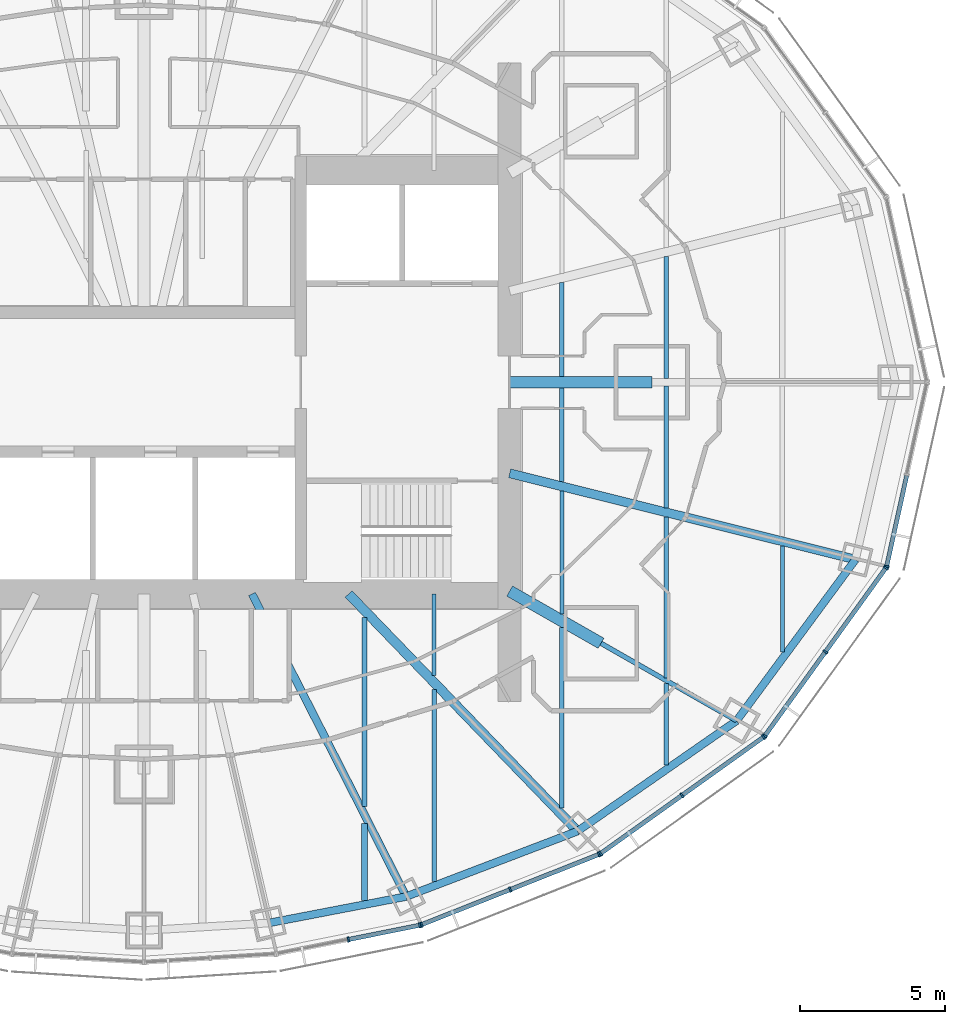
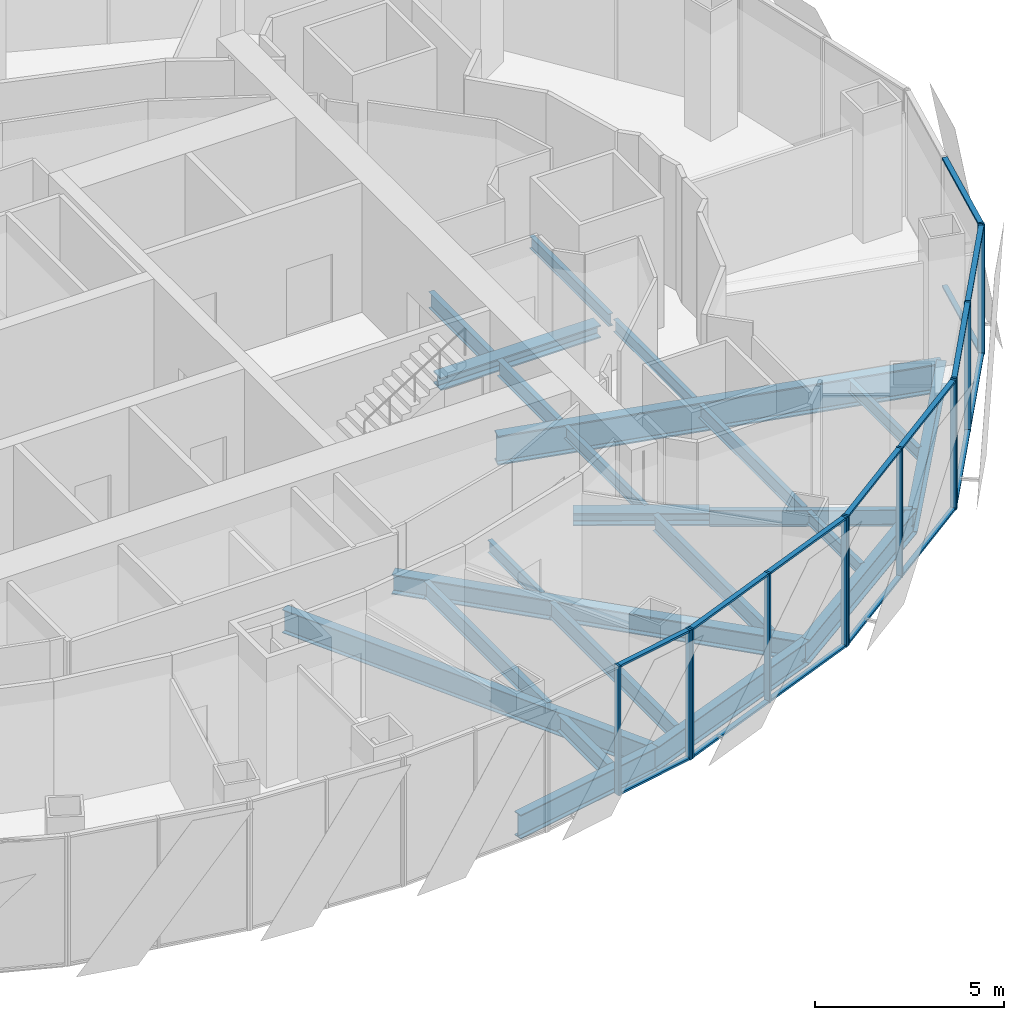
# One storey, part 6 of 19: 28 members, 23 beams, 5 elements without a shape of their own.
"""IFC4 building model written with IfcOpenShell, lengths in metres."""

from ifc_helpers import new_model, si_unit, direction, frame, origin, origin_2d, place, context, subcontext, project, spatial, rectangle, i_section, extrude, material, material_profile, profile_set, type_object, element, aggregate, save


model = new_model("IFC4")

# Units and contexts
model_context = context("Model", 3, precision=1e-05, world=origin(), true_north=direction((0.0, 1.0)))
body_context = subcontext(model_context, "Body", "Model", "MODEL_VIEW")
ifc_project = project(units=[si_unit("LENGTHUNIT", "METRE"), si_unit("AREAUNIT", "SQUARE_METRE"), si_unit("VOLUMEUNIT", "CUBIC_METRE"), si_unit("PLANEANGLEUNIT", "RADIAN"), si_unit("MASSUNIT", "GRAM", prefix="KILO")], contexts=[model_context])

# Site, building, storey
site_placement = place(None, origin())
site = spatial("IfcSite", under=ifc_project, at=site_placement, CompositionType="ELEMENT")
building_placement = place(site_placement, origin())
building = spatial("IfcBuilding", under=site, at=building_placement, Name="Lantaw Convention Tower", CompositionType="ELEMENT")
storey_placement = place(building_placement, frame((0.0, 0.0, 245.199951171875)))
storey = spatial("IfcBuildingStorey", under=building, at=storey_placement, Name="L57", CompositionType="ELEMENT", Elevation=245.199951171875)

# Beams
ifc_material_1 = material(Name="Steel ASTM A992", Category="steel")
ifc_material_profile_1 = material_profile(ifc_material_1, i_section(OverallWidth=0.2666015625, OverallDepth=0.76953125, WebThickness=0.015625, FlangeThickness=0.025390625, FilletRadius=0.0126953125, at=origin_2d()), Name="W30X132")
ifc_profile_set_1 = profile_set([ifc_material_profile_1], Name="Steel ASTM A992")
beam_type_1 = type_object("IfcBeamType", Name="Beam E W30X132", PredefinedType="SPANDREL", material=ifc_profile_set_1)
beam_1_placement = place(storey_placement, frame((4.303955078125, -18.64208984375, -0.53466796875), z_axis=(0.981972091702, 0.189025953556, 0.0), x_axis=(-0.189025953556, 0.981972091702, 0.0)))
element("IfcBeam", 1, at=beam_1_placement, inside=storey, type_object=beam_type_1, Name="Edge beam 20", PredefinedType="SPANDREL", context=body_context, shape_type="SweptSolid", body=[
    extrude(i_section(OverallWidth=0.2666015625, OverallDepth=0.76953125, WebThickness=0.015625, FlangeThickness=0.025390625, FilletRadius=0.0126953125, at=origin_2d()), origin(), (0.0, 0.0, 1.0), 4.817626953125),
])
beam_2_placement = place(storey_placement, frame((9.03466796875, -17.7314453125, -0.53466796875), z_axis=(0.934234988, 0.356658081637, 0.0), x_axis=(-0.356658081637, 0.934234988, 0.0)))
element("IfcBeam", 2, at=beam_2_placement, inside=storey, type_object=beam_type_1, Name="Edge beam 21", PredefinedType="SPANDREL", context=body_context, shape_type="SweptSolid", body=[
    extrude(i_section(OverallWidth=0.2666015625, OverallDepth=0.76953125, WebThickness=0.015625, FlangeThickness=0.025390625, FilletRadius=0.0126953125, at=origin_2d()), origin(), (0.0, 0.0, 1.0), 6.32568359375),
])
beam_3_placement = place(storey_placement, frame((14.9443359375, -15.475341796875, -0.53466796875), z_axis=(0.82135329406, 0.570419815869, 0.0), x_axis=(-0.570419815869, 0.82135329406, 0.0)))
element("IfcBeam", 3, at=beam_3_placement, inside=storey, type_object=beam_type_1, Name="Edge beam 22", PredefinedType="SPANDREL", context=body_context, shape_type="SweptSolid", body=[
    extrude(i_section(OverallWidth=0.2666015625, OverallDepth=0.76953125, WebThickness=0.015625, FlangeThickness=0.025390625, FilletRadius=0.0126953125, at=origin_2d()), origin(), (0.0, 0.0, 1.0), 6.67041015625),
])
beam_4_placement = place(storey_placement, frame((20.423095703125, -11.67041015625, -0.53466796875), z_axis=(0.593639188853, 0.804731329984, 0.0), x_axis=(-0.804731329984, 0.593639188853, 0.0)))
element("IfcBeam", 4, at=beam_4_placement, inside=storey, type_object=beam_type_1, Name="Edge beam 23", PredefinedType="SPANDREL", context=body_context, shape_type="SweptSolid", body=[
    extrude(i_section(OverallWidth=0.2666015625, OverallDepth=0.76953125, WebThickness=0.015625, FlangeThickness=0.025390625, FilletRadius=0.0126953125, at=origin_2d()), origin(), (0.0, 0.0, 1.0), 6.904541015625),
])
ifc_material_profile_2 = material_profile(ifc_material_1, i_section(OverallWidth=0.165771484375, OverallDepth=0.5283203125, WebThickness=0.009765625, FlangeThickness=0.013671875, FilletRadius=0.012939453125, at=origin_2d()), Name="W21X50")
ifc_profile_set_2 = profile_set([ifc_material_profile_2], Name="Steel ASTM A992")
beam_type_2 = type_object("IfcBeamType", Name="Beam G W21X50", PredefinedType="BEAM", material=ifc_profile_set_2)
beam_5_placement = place(storey_placement, frame((15.75, -9.0, -0.4140625), z_axis=(0.868237559289, -0.496148708192, 0.0), x_axis=(0.496148708192, 0.868237559289, 0.0)))
element("IfcBeam", 5, at=beam_5_placement, inside=storey, type_object=beam_type_2, Name="Floor girder on ray 23", PredefinedType="BEAM", context=body_context, shape_type="SweptSolid", body=[
    extrude(i_section(OverallWidth=0.165771484375, OverallDepth=0.5283203125, WebThickness=0.009765625, FlangeThickness=0.013671875, FilletRadius=0.012939453125, at=origin_2d()), origin(), (0.0, 0.0, 1.0), 5.38232421875),
])
ifc_material_profile_3 = material_profile(ifc_material_1, i_section(OverallWidth=0.32763671875, OverallDepth=0.64013671875, WebThickness=0.01904296875, FlangeThickness=0.033935546875, FilletRadius=0.0126953125, at=origin_2d()), Name="W24X176")
ifc_profile_set_3 = profile_set([ifc_material_profile_3], Name="Steel ASTM A992")
beam_type_3 = type_object("IfcBeamType", Name="Beam G W24X176", PredefinedType="BEAM", material=ifc_profile_set_3)
beam_6_placement = place(storey_placement, frame((7.049560546875, -7.300048828125, -0.469970703125), z_axis=(0.694657766726, -0.719340383356, 0.0), x_axis=(0.719340383356, 0.694657766726, 0.0)))
element("IfcBeam", 6, at=beam_6_placement, inside=storey, type_object=beam_type_3, Name="Floor girder on ray 22", PredefinedType="BEAM", context=body_context, shape_type="SweptSolid", body=[
    extrude(i_section(OverallWidth=0.32763671875, OverallDepth=0.64013671875, WebThickness=0.01904296875, FlangeThickness=0.033935546875, FilletRadius=0.0126953125, at=origin_2d()), origin(), (0.0, 0.0, 1.0), 11.364990234375),
])
ifc_material_profile_4 = material_profile(ifc_material_1, i_section(OverallWidth=0.2666015625, OverallDepth=0.7568359375, WebThickness=0.013916015625, FlangeThickness=0.019287109375, FilletRadius=0.0126953125, at=origin_2d()), Name="W30X108")
ifc_profile_set_4 = profile_set([ifc_material_profile_4], Name="Steel ASTM A992")
beam_type_4 = type_object("IfcBeamType", Name="Beam G W30X108", PredefinedType="BEAM", material=ifc_profile_set_4)
beam_7_placement = place(storey_placement, frame((3.719482421875, -7.300048828125, -0.5283203125), z_axis=(0.4539988787, -0.891002254845, 0.0), x_axis=(0.891002254845, 0.4539988787, 0.0)))
element("IfcBeam", 7, at=beam_7_placement, inside=storey, type_object=beam_type_4, Name="Floor girder on ray 21", PredefinedType="BEAM", context=body_context, shape_type="SweptSolid", body=[
    extrude(i_section(OverallWidth=0.2666015625, OverallDepth=0.7568359375, WebThickness=0.013916015625, FlangeThickness=0.019287109375, FilletRadius=0.0126953125, at=origin_2d()), origin(), (0.0, 0.0, 1.0), 11.70751953125),
])
ifc_material_profile_5 = material_profile(ifc_material_1, i_section(OverallWidth=0.307373046875, OverallDepth=0.9423828125, WebThickness=0.022216796875, FlangeThickness=0.039794921875, FilletRadius=0.0126953125, at=origin_2d()), Name="W36X232")
ifc_profile_set_5 = profile_set([ifc_material_profile_5], Name="Steel ASTM A992")
beam_type_5 = type_object("IfcBeamType", Name="Beam G W36X232", PredefinedType="BEAM", material=ifc_profile_set_5)
beam_8_placement = place(storey_placement, frame((12.60009765625, -3.1416015625, -0.62109375), z_axis=(0.970296589314, -0.241918434119, 0.0), x_axis=(0.241918434119, 0.970296589314, 0.0)))
element("IfcBeam", 8, at=beam_8_placement, inside=storey, type_object=beam_type_5, Name="Floor girder on ray 24", PredefinedType="BEAM", context=body_context, shape_type="SweptSolid", body=[
    extrude(i_section(OverallWidth=0.307373046875, OverallDepth=0.9423828125, WebThickness=0.022216796875, FlangeThickness=0.039794921875, FilletRadius=0.0126953125, at=origin_2d()), origin(), (0.0, 0.0, 1.0), 12.286865234375),
])
ifc_material_profile_6 = material_profile(ifc_material_1, i_section(OverallWidth=0.40380859375, OverallDepth=0.406494140625, WebThickness=0.027099609375, FlangeThickness=0.043701171875, FilletRadius=0.01513671875, at=origin_2d()), Name="W14X233")
ifc_profile_set_6 = profile_set([ifc_material_profile_6], Name="Steel ASTM A992")
beam_type_6 = type_object("IfcBeamType", Name="Beam GM W14X233", PredefinedType="BEAM", material=ifc_profile_set_6)
beam_9_placement = place(storey_placement, frame((12.60009765625, 0.0, -0.353271484375), z_axis=(1.0, 0.0, 0.0), x_axis=(0.0, 1.0, 0.0)))
element("IfcBeam", 9, at=beam_9_placement, inside=storey, type_object=beam_type_6, Name="Core link beam on ray 1", PredefinedType="BEAM", context=body_context, shape_type="SweptSolid", body=[
    extrude(i_section(OverallWidth=0.40380859375, OverallDepth=0.406494140625, WebThickness=0.027099609375, FlangeThickness=0.043701171875, FilletRadius=0.01513671875, at=origin_2d()), origin(), (0.0, 0.0, 1.0), 4.89990234375),
])
beam_10_placement = place(storey_placement, frame((12.60009765625, -7.199951171875, -0.353271484375), z_axis=(0.868230718294, -0.496160679428, 0.0), x_axis=(0.496160679428, 0.868230718294, 0.0)))
element("IfcBeam", 10, at=beam_10_placement, inside=storey, type_object=beam_type_6, Name="Core link beam on ray 23", PredefinedType="BEAM", context=body_context, shape_type="SweptSolid", body=[
    extrude(i_section(OverallWidth=0.40380859375, OverallDepth=0.406494140625, WebThickness=0.027099609375, FlangeThickness=0.043701171875, FilletRadius=0.01513671875, at=origin_2d()), origin(), (0.0, 0.0, 1.0), 3.6279296875),
])
ifc_material_profile_7 = material_profile(ifc_material_1, i_section(OverallWidth=0.140380859375, OverallDepth=0.40380859375, WebThickness=0.007080078125, FlangeThickness=0.01123046875, FilletRadius=0.01025390625, at=origin_2d()), Name="W16X31")
ifc_profile_set_7 = profile_set([ifc_material_profile_7], Name="Steel ASTM A992")
beam_type_7 = type_object("IfcBeamType", Name="Beam J W16X31", PredefinedType="JOIST", material=ifc_profile_set_7)
beam_11_placement = place(storey_placement, frame((10.0, -10.119384765625, -0.351806640625), z_axis=(0.0, 1.0, 0.0), x_axis=(-1.0, 0.0, 0.0)))
element("IfcBeam", 11, at=beam_11_placement, inside=storey, type_object=beam_type_7, Name="Floor joist", PredefinedType="JOIST", context=body_context, shape_type="SweptSolid", body=[
    extrude(i_section(OverallWidth=0.140380859375, OverallDepth=0.40380859375, WebThickness=0.007080078125, FlangeThickness=0.01123046875, FilletRadius=0.01025390625, at=origin_2d()), origin(), (0.0, 0.0, 1.0), 2.8193359375),
])
beam_12_placement = place(storey_placement, frame((14.39990234375, -7.99609375, -0.351806640625), z_axis=(0.0, 1.0, 0.0), x_axis=(-1.0, 0.0, 0.0)))
element("IfcBeam", 12, at=beam_12_placement, inside=storey, type_object=beam_type_7, Name="Floor joist", PredefinedType="JOIST", context=body_context, shape_type="SweptSolid", body=[
    extrude(i_section(OverallWidth=0.140380859375, OverallDepth=0.40380859375, WebThickness=0.007080078125, FlangeThickness=0.01123046875, FilletRadius=0.01025390625, at=origin_2d()), origin(), (0.0, 0.0, 1.0), 4.247314453125),
])
beam_13_placement = place(storey_placement, frame((18.0, -13.19091796875, -0.351806640625), z_axis=(0.0, 1.0, 0.0), x_axis=(-1.0, 0.0, 0.0)))
element("IfcBeam", 13, at=beam_13_placement, inside=storey, type_object=beam_type_7, Name="Floor joist", PredefinedType="JOIST", context=body_context, shape_type="SweptSolid", body=[
    extrude(i_section(OverallWidth=0.140380859375, OverallDepth=0.40380859375, WebThickness=0.007080078125, FlangeThickness=0.01123046875, FilletRadius=0.01025390625, at=origin_2d()), origin(), (0.0, 0.0, 1.0), 2.8095703125),
])
for number, where, z_axis, x_axis, name in (
    (14, (18.0, -4.32958984375, -0.351806640625), (0.0, 1.0, 0.0), (-1.0, 0.0, 0.0), "Floor joist"),
    (15, (18.0, 0.126953125, -0.351806640625), (0.0, 1.0, 0.0), (-1.0, 0.0, 0.0), "Floor joist"),
):
    element("IfcBeam", number, at=place(storey_placement, frame(where, z_axis=z_axis, x_axis=x_axis)), inside=storey, type_object=beam_type_7, Name=name, PredefinedType="JOIST", context=body_context, shape_type="SweptSolid", body=[
        extrude(i_section(OverallWidth=0.140380859375, OverallDepth=0.40380859375, WebThickness=0.007080078125, FlangeThickness=0.01123046875, FilletRadius=0.01025390625, at=origin_2d()), origin(), (0.0, 0.0, 1.0), 4.20263671875),
    ])
beam_14_placement = place(storey_placement, frame((22.0, -9.30810546875, -0.351806640625), z_axis=(0.0, 1.0, 0.0), x_axis=(-1.0, 0.0, 0.0)))
element("IfcBeam", 16, at=beam_14_placement, inside=storey, type_object=beam_type_7, Name="Floor joist", PredefinedType="JOIST", context=body_context, shape_type="SweptSolid", body=[
    extrude(i_section(OverallWidth=0.140380859375, OverallDepth=0.40380859375, WebThickness=0.007080078125, FlangeThickness=0.01123046875, FilletRadius=0.01025390625, at=origin_2d()), origin(), (0.0, 0.0, 1.0), 3.66455078125),
])
ifc_material_profile_8 = material_profile(ifc_material_1, i_section(OverallWidth=0.15234375, OverallDepth=0.449462890625, WebThickness=0.007568359375, FlangeThickness=0.0107421875, FilletRadius=0.01025390625, at=origin_2d()), Name="W18X35")
ifc_profile_set_8 = profile_set([ifc_material_profile_8], Name="Steel ASTM A992")
beam_type_8 = type_object("IfcBeamType", Name="Beam J W18X35", PredefinedType="JOIST", material=ifc_profile_set_8)
beam_15_placement = place(storey_placement, frame((18.0, -10.190185546875, -0.374755859375), z_axis=(0.0, 1.0, 0.0), x_axis=(-1.0, 0.0, 0.0)))
element("IfcBeam", 17, at=beam_15_placement, inside=storey, type_object=beam_type_8, Name="Floor joist", PredefinedType="JOIST", context=body_context, shape_type="SweptSolid", body=[
    extrude(i_section(OverallWidth=0.15234375, OverallDepth=0.449462890625, WebThickness=0.007568359375, FlangeThickness=0.0107421875, FilletRadius=0.01025390625, at=origin_2d()), origin(), (0.0, 0.0, 1.0), 5.5439453125),
])
ifc_material_profile_9 = material_profile(ifc_material_1, i_section(OverallWidth=0.1650390625, OverallDepth=0.52587890625, WebThickness=0.0087890625, FlangeThickness=0.011474609375, FilletRadius=0.0126953125, at=origin_2d()), Name="W21X44")
ifc_profile_set_9 = profile_set([ifc_material_profile_9], Name="Steel ASTM A992")
beam_type_9 = type_object("IfcBeamType", Name="Beam J W21X44", PredefinedType="JOIST", material=ifc_profile_set_9)
beam_16_placement = place(storey_placement, frame((7.60009765625, -14.6220703125, -0.412841796875), z_axis=(0.0, 1.0, 0.0), x_axis=(-1.0, 0.0, 0.0)))
element("IfcBeam", 18, at=beam_16_placement, inside=storey, type_object=beam_type_9, Name="Floor joist", PredefinedType="JOIST", context=body_context, shape_type="SweptSolid", body=[
    extrude(i_section(OverallWidth=0.1650390625, OverallDepth=0.52587890625, WebThickness=0.0087890625, FlangeThickness=0.011474609375, FilletRadius=0.0126953125, at=origin_2d()), origin(), (0.0, 0.0, 1.0), 6.51611328125),
])
beam_17_placement = place(storey_placement, frame((10.0, -17.22021484375, -0.412841796875), z_axis=(0.0, 1.0, 0.0), x_axis=(-1.0, 0.0, 0.0)))
element("IfcBeam", 19, at=beam_17_placement, inside=storey, type_object=beam_type_9, Name="Floor joist", PredefinedType="JOIST", context=body_context, shape_type="SweptSolid", body=[
    extrude(i_section(OverallWidth=0.1650390625, OverallDepth=0.52587890625, WebThickness=0.0087890625, FlangeThickness=0.011474609375, FilletRadius=0.0126953125, at=origin_2d()), origin(), (0.0, 0.0, 1.0), 6.629150390625),
])
beam_18_placement = place(storey_placement, frame((14.39990234375, -14.67578125, -0.412841796875), z_axis=(0.0, 1.0, 0.0), x_axis=(-1.0, 0.0, 0.0)))
element("IfcBeam", 20, at=beam_18_placement, inside=storey, type_object=beam_type_9, Name="Floor joist", PredefinedType="JOIST", context=body_context, shape_type="SweptSolid", body=[
    extrude(i_section(OverallWidth=0.1650390625, OverallDepth=0.52587890625, WebThickness=0.0087890625, FlangeThickness=0.011474609375, FilletRadius=0.0126953125, at=origin_2d()), origin(), (0.0, 0.0, 1.0), 6.214599609375),
])
for number, where, z_axis, x_axis, name in (
    (21, (14.39990234375, -3.431884765625, -0.412841796875), (0.0, 1.0, 0.0), (-1.0, 0.0, 0.0), "Floor joist"),
    (22, (14.39990234375, 0.201904296875, -0.412841796875), (0.0, 1.0, 0.0), (-1.0, 0.0, 0.0), "Floor joist"),
):
    element("IfcBeam", number, at=place(storey_placement, frame(where, z_axis=z_axis, x_axis=x_axis)), inside=storey, type_object=beam_type_9, Name=name, PredefinedType="JOIST", context=body_context, shape_type="SweptSolid", body=[
        extrude(i_section(OverallWidth=0.1650390625, OverallDepth=0.52587890625, WebThickness=0.0087890625, FlangeThickness=0.011474609375, FilletRadius=0.0126953125, at=origin_2d()), origin(), (0.0, 0.0, 1.0), 3.22998046875),
    ])
ifc_material_profile_10 = material_profile(ifc_material_1, i_section(OverallWidth=0.2099609375, OverallDepth=0.535888671875, WebThickness=0.010986328125, FlangeThickness=0.017333984375, FilletRadius=0.012939453125, at=origin_2d()), Name="W21X68")
ifc_profile_set_10 = profile_set([ifc_material_profile_10], Name="Steel ASTM A992")
beam_type_10 = type_object("IfcBeamType", Name="Beam J W21X68", PredefinedType="JOIST", material=ifc_profile_set_10)
beam_19_placement = place(storey_placement, frame((7.60009765625, -17.871826171875, -0.41796875), z_axis=(0.0, 1.0, 0.0), x_axis=(-1.0, 0.0, 0.0)))
element("IfcBeam", 23, at=beam_19_placement, inside=storey, type_object=beam_type_10, Name="Floor joist", PredefinedType="JOIST", context=body_context, shape_type="SweptSolid", body=[
    extrude(i_section(OverallWidth=0.2099609375, OverallDepth=0.535888671875, WebThickness=0.010986328125, FlangeThickness=0.017333984375, FilletRadius=0.012939453125, at=origin_2d()), origin(), (0.0, 0.0, 1.0), 2.662353515625),
])

# Curtain wall, members
ifc_material_2 = material(Name="Aluminium framed curtain wall", Category="aluminium")
curtain_wall_type = type_object("IfcCurtainWallType", Name="Office curtain wall high rise, pale aluminium", PredefinedType="USERDEFINED", material=ifc_material_2)
curtain_wall_1_placement = place(storey_placement, origin())
curtain_wall_1 = element("IfcCurtainWall", 24, at=curtain_wall_1_placement, inside=storey, type_object=curtain_wall_type, Name="Office curtain wall high rise, pale aluminium L57", ObjectType="UNITISED CURTAIN WALL", PredefinedType="USERDEFINED")
ifc_material_3 = material(Name="Aluminium 6063-T6", Category="aluminium")
ifc_material_profile_11 = material_profile(ifc_material_3, rectangle(XDim=0.179931640625, YDim=0.06494140625, at=origin_2d()), Name="CW-O2 mullion 65x180")
ifc_profile_set_11 = profile_set([ifc_material_profile_11], Name="Aluminium 6063-T6")
member_type_1 = type_object("IfcMemberType", Name="CW-O2 mullion 65x180", PredefinedType="MULLION", material=ifc_profile_set_11)
member_1_placement = place(storey_placement, frame((7.042724609375, -19.212646484375, -0.14990234375), z_axis=(0.0, 0.0, 1.0), x_axis=(-0.197183095987, 0.980366679695, 0.0)))
member_1 = element("IfcMember", 25, at=member_1_placement, type_object=member_type_1, Name="CW-O2 mullion 2", PredefinedType="MULLION", context=body_context, shape_type="SweptSolid", body=[
    extrude(rectangle(XDim=0.179931640625, YDim=0.06494140625, at=origin_2d()), origin(), (0.0, 0.0, 1.0), 4.199951171875),
])
member_2_placement = place(storey_placement, frame((9.502197265625, -18.718017578125, -0.14990234375), z_axis=(0.0, 0.0, 1.0), x_axis=(-0.197183095987, 0.980366679695, 0.0)))
member_2 = element("IfcMember", 26, at=member_2_placement, type_object=member_type_1, Name="CW-O2 mullion 3", PredefinedType="MULLION", context=body_context, shape_type="SweptSolid", body=[
    extrude(rectangle(XDim=0.179931640625, YDim=0.06494140625, at=origin_2d()), origin(), (0.0, 0.0, 1.0), 4.199951171875),
])

curtain_wall_2_placement = place(storey_placement, origin())
curtain_wall_2 = element("IfcCurtainWall", 27, at=curtain_wall_2_placement, inside=storey, type_object=curtain_wall_type, Name="Office curtain wall high rise, pale aluminium L57", ObjectType="UNITISED CURTAIN WALL", PredefinedType="USERDEFINED")
member_3_placement = place(storey_placement, frame((9.564208984375, -18.69970703125, -0.14990234375), z_axis=(0.0, 0.0, 1.0), x_axis=(-0.368162315252, 0.929761533743, 0.0)))
member_3 = element("IfcMember", 28, at=member_3_placement, type_object=member_type_1, Name="CW-O2 mullion 1", PredefinedType="MULLION", context=body_context, shape_type="SweptSolid", body=[
    extrude(rectangle(XDim=0.179931640625, YDim=0.06494140625, at=origin_2d()), origin(), (0.0, 0.0, 1.0), 4.199951171875),
])
member_4_placement = place(storey_placement, frame((12.621337890625, -17.4892578125, -0.14990234375), z_axis=(0.0, 0.0, 1.0), x_axis=(-0.368162315252, 0.929761533743, 0.0)))
member_4 = element("IfcMember", 29, at=member_4_placement, type_object=member_type_1, Name="CW-O2 mullion 2", PredefinedType="MULLION", context=body_context, shape_type="SweptSolid", body=[
    extrude(rectangle(XDim=0.179931640625, YDim=0.06494140625, at=origin_2d()), origin(), (0.0, 0.0, 1.0), 4.199951171875),
])
member_5_placement = place(storey_placement, frame((15.67822265625, -16.278564453125, -0.14990234375), z_axis=(0.0, 0.0, 1.0), x_axis=(-0.368162315252, 0.929761533743, 0.0)))
member_5 = element("IfcMember", 30, at=member_5_placement, type_object=member_type_1, Name="CW-O2 mullion 3", PredefinedType="MULLION", context=body_context, shape_type="SweptSolid", body=[
    extrude(rectangle(XDim=0.179931640625, YDim=0.06494140625, at=origin_2d()), origin(), (0.0, 0.0, 1.0), 4.199951171875),
])

curtain_wall_3_placement = place(storey_placement, origin())
curtain_wall_3 = element("IfcCurtainWall", 31, at=curtain_wall_3_placement, inside=storey, type_object=curtain_wall_type, Name="Office curtain wall high rise, pale aluminium L57", ObjectType="UNITISED CURTAIN WALL", PredefinedType="USERDEFINED")
member_6_placement = place(storey_placement, frame((15.73486328125, -16.247802734375, -0.14990234375), z_axis=(0.0, 0.0, 1.0), x_axis=(-0.581323487281, 0.813672540482, 0.0)))
member_6 = element("IfcMember", 32, at=member_6_placement, type_object=member_type_1, Name="CW-O2 mullion 1", PredefinedType="MULLION", context=body_context, shape_type="SweptSolid", body=[
    extrude(rectangle(XDim=0.179931640625, YDim=0.06494140625, at=origin_2d()), origin(), (0.0, 0.0, 1.0), 4.199951171875),
])
member_7_placement = place(storey_placement, frame((18.543212890625, -14.241455078125, -0.14990234375), z_axis=(0.0, 0.0, 1.0), x_axis=(-0.581323487281, 0.813672540482, 0.0)))
member_7 = element("IfcMember", 33, at=member_7_placement, type_object=member_type_1, Name="CW-O2 mullion 2", PredefinedType="MULLION", context=body_context, shape_type="SweptSolid", body=[
    extrude(rectangle(XDim=0.179931640625, YDim=0.06494140625, at=origin_2d()), origin(), (0.0, 0.0, 1.0), 4.199951171875),
])
member_8_placement = place(storey_placement, frame((21.3515625, -12.23486328125, -0.14990234375), z_axis=(0.0, 0.0, 1.0), x_axis=(-0.581323487281, 0.813672540482, 0.0)))
member_8 = element("IfcMember", 34, at=member_8_placement, type_object=member_type_1, Name="CW-O2 mullion 3", PredefinedType="MULLION", context=body_context, shape_type="SweptSolid", body=[
    extrude(rectangle(XDim=0.179931640625, YDim=0.06494140625, at=origin_2d()), origin(), (0.0, 0.0, 1.0), 4.199951171875),
])

curtain_wall_4_placement = place(storey_placement, origin())
curtain_wall_4 = element("IfcCurtainWall", 35, at=curtain_wall_4_placement, inside=storey, type_object=curtain_wall_type, Name="Office curtain wall high rise, pale aluminium L57", ObjectType="UNITISED CURTAIN WALL", PredefinedType="USERDEFINED")
member_9_placement = place(storey_placement, frame((21.397216796875, -12.189697265625, -0.14990234375), z_axis=(0.0, 0.0, 1.0), x_axis=(-0.810919559405, 0.585157643865, 0.0)))
member_9 = element("IfcMember", 36, at=member_9_placement, type_object=member_type_1, Name="CW-O2 mullion 1", PredefinedType="MULLION", context=body_context, shape_type="SweptSolid", body=[
    extrude(rectangle(XDim=0.179931640625, YDim=0.06494140625, at=origin_2d()), origin(), (0.0, 0.0, 1.0), 4.199951171875),
])
member_10_placement = place(storey_placement, frame((23.483642578125, -9.298095703125, -0.14990234375), z_axis=(0.0, 0.0, 1.0), x_axis=(-0.810919559405, 0.585157643865, 0.0)))
member_10 = element("IfcMember", 37, at=member_10_placement, type_object=member_type_1, Name="CW-O2 mullion 2", PredefinedType="MULLION", context=body_context, shape_type="SweptSolid", body=[
    extrude(rectangle(XDim=0.179931640625, YDim=0.06494140625, at=origin_2d()), origin(), (0.0, 0.0, 1.0), 4.199951171875),
])
member_11_placement = place(storey_placement, frame((25.5703125, -6.406494140625, -0.14990234375), z_axis=(0.0, 0.0, 1.0), x_axis=(-0.810919559405, 0.585157643865, 0.0)))
member_11 = element("IfcMember", 38, at=member_11_placement, type_object=member_type_1, Name="CW-O2 mullion 3", PredefinedType="MULLION", context=body_context, shape_type="SweptSolid", body=[
    extrude(rectangle(XDim=0.179931640625, YDim=0.06494140625, at=origin_2d()), origin(), (0.0, 0.0, 1.0), 4.199951171875),
])

# Curtain wall, member
curtain_wall_5_placement = place(storey_placement, origin())
curtain_wall_5 = element("IfcCurtainWall", 39, at=curtain_wall_5_placement, inside=storey, type_object=curtain_wall_type, Name="Office curtain wall high rise, pale aluminium L57", ObjectType="UNITISED CURTAIN WALL", PredefinedType="USERDEFINED")
member_12_placement = place(storey_placement, frame((25.596435546875, -6.348388671875, -0.14990234375), z_axis=(0.0, 0.0, 1.0), x_axis=(-0.976417396437, 0.215891333626, 0.0)))
member_12 = element("IfcMember", 40, at=member_12_placement, type_object=member_type_1, Name="CW-O2 mullion 1", PredefinedType="MULLION", context=body_context, shape_type="SweptSolid", body=[
    extrude(rectangle(XDim=0.179931640625, YDim=0.06494140625, at=origin_2d()), origin(), (0.0, 0.0, 1.0), 4.199951171875),
])

# Member
ifc_material_profile_12 = material_profile(ifc_material_3, rectangle(XDim=0.14990234375, YDim=0.06494140625, at=origin_2d()), Name="CW-O2 transom 65x150")
ifc_profile_set_12 = profile_set([ifc_material_profile_12], Name="Aluminium 6063-T6")
member_type_2 = type_object("IfcMemberType", Name="CW-O2 transom 65x150", PredefinedType="USERDEFINED", material=ifc_profile_set_12)
member_13_placement = place(storey_placement, frame((7.074462890625, -19.206298828125, -0.117431640625), z_axis=(0.98036104319, 0.197211117829, 0.0), x_axis=(-0.197211117829, 0.98036104319, 0.0)))
member_13 = element("IfcMember", 41, at=member_13_placement, type_object=member_type_2, Name="CW-O2 transom 2.1", ObjectType="TRANSOM", PredefinedType="USERDEFINED", context=body_context, shape_type="SweptSolid", body=[
    extrude(rectangle(XDim=0.14990234375, YDim=0.06494140625, at=origin_2d()), origin(), (0.0, 0.0, 1.0), 2.44384765625),
])

member_14_placement = place(storey_placement, frame((7.074462890625, -19.206298828125, 4.017578125), z_axis=(0.98036104319, 0.197211117829, 0.0), x_axis=(-0.197211117829, 0.98036104319, 0.0)))
member_14 = element("IfcMember", 42, at=member_14_placement, type_object=member_type_2, Name="CW-O2 transom 2.2", ObjectType="TRANSOM", PredefinedType="USERDEFINED", context=body_context, shape_type="SweptSolid", body=[
    extrude(rectangle(XDim=0.14990234375, YDim=0.06494140625, at=origin_2d()), origin(), (0.0, 0.0, 1.0), 2.44384765625),
])

aggregate(curtain_wall_1, [member_1, member_2, member_13, member_14])

member_15_placement = place(storey_placement, frame((9.594482421875, -18.687744140625, -0.117431640625), z_axis=(0.929766642946, 0.368149412149, 0.0), x_axis=(-0.368149412149, 0.929766642946, 0.0)))
member_15 = element("IfcMember", 43, at=member_15_placement, type_object=member_type_2, Name="CW-O2 transom 1.1", ObjectType="TRANSOM", PredefinedType="USERDEFINED", context=body_context, shape_type="SweptSolid", body=[
    extrude(rectangle(XDim=0.14990234375, YDim=0.06494140625, at=origin_2d()), origin(), (0.0, 0.0, 1.0), 3.222900390625),
])

member_16_placement = place(storey_placement, frame((9.594482421875, -18.687744140625, 4.017578125), z_axis=(0.929766642946, 0.368149412149, 0.0), x_axis=(-0.368149412149, 0.929766642946, 0.0)))
member_16 = element("IfcMember", 44, at=member_16_placement, type_object=member_type_2, Name="CW-O2 transom 1.2", ObjectType="TRANSOM", PredefinedType="USERDEFINED", context=body_context, shape_type="SweptSolid", body=[
    extrude(rectangle(XDim=0.14990234375, YDim=0.06494140625, at=origin_2d()), origin(), (0.0, 0.0, 1.0), 3.222900390625),
])

member_17_placement = place(storey_placement, frame((12.651611328125, -17.477294921875, -0.117431640625), z_axis=(0.929740712354, 0.368214893495, 0.0), x_axis=(-0.368214893495, 0.929740712354, 0.0)))
member_17 = element("IfcMember", 45, at=member_17_placement, type_object=member_type_2, Name="CW-O2 transom 2.1", ObjectType="TRANSOM", PredefinedType="USERDEFINED", context=body_context, shape_type="SweptSolid", body=[
    extrude(rectangle(XDim=0.14990234375, YDim=0.06494140625, at=origin_2d()), origin(), (0.0, 0.0, 1.0), 3.22314453125),
])

member_18_placement = place(storey_placement, frame((12.651611328125, -17.477294921875, 4.017578125), z_axis=(0.929740712354, 0.368214893495, 0.0), x_axis=(-0.368214893495, 0.929740712354, 0.0)))
member_18 = element("IfcMember", 46, at=member_18_placement, type_object=member_type_2, Name="CW-O2 transom 2.2", ObjectType="TRANSOM", PredefinedType="USERDEFINED", context=body_context, shape_type="SweptSolid", body=[
    extrude(rectangle(XDim=0.14990234375, YDim=0.06494140625, at=origin_2d()), origin(), (0.0, 0.0, 1.0), 3.22314453125),
])

aggregate(curtain_wall_2, [member_3, member_4, member_5, member_15, member_16, member_17, member_18])

member_19_placement = place(storey_placement, frame((15.761474609375, -16.22900390625, -0.117431640625), z_axis=(0.813645780821, 0.581360940683, 0.0), x_axis=(-0.581360940683, 0.813645780821, 0.0)))
member_19 = element("IfcMember", 47, at=member_19_placement, type_object=member_type_2, Name="CW-O2 transom 1.1", ObjectType="TRANSOM", PredefinedType="USERDEFINED", context=body_context, shape_type="SweptSolid", body=[
    extrude(rectangle(XDim=0.14990234375, YDim=0.06494140625, at=origin_2d()), origin(), (0.0, 0.0, 1.0), 3.386474609375),
])

member_20_placement = place(storey_placement, frame((15.761474609375, -16.22900390625, 4.017578125), z_axis=(0.813645780821, 0.581360940683, 0.0), x_axis=(-0.581360940683, 0.813645780821, 0.0)))
member_20 = element("IfcMember", 48, at=member_20_placement, type_object=member_type_2, Name="CW-O2 transom 1.2", ObjectType="TRANSOM", PredefinedType="USERDEFINED", context=body_context, shape_type="SweptSolid", body=[
    extrude(rectangle(XDim=0.14990234375, YDim=0.06494140625, at=origin_2d()), origin(), (0.0, 0.0, 1.0), 3.386474609375),
])

member_21_placement = place(storey_placement, frame((18.56982421875, -14.222412109375, -0.117431640625), z_axis=(0.813679882592, 0.581313210468, 0.0), x_axis=(-0.581313210468, 0.813679882592, 0.0)))
member_21 = element("IfcMember", 49, at=member_21_placement, type_object=member_type_2, Name="CW-O2 transom 2.1", ObjectType="TRANSOM", PredefinedType="USERDEFINED", context=body_context, shape_type="SweptSolid", body=[
    extrude(rectangle(XDim=0.14990234375, YDim=0.06494140625, at=origin_2d()), origin(), (0.0, 0.0, 1.0), 3.38623046875),
])

member_22_placement = place(storey_placement, frame((18.56982421875, -14.222412109375, 4.017578125), z_axis=(0.813679882592, 0.581313210468, 0.0), x_axis=(-0.581313210468, 0.813679882592, 0.0)))
member_22 = element("IfcMember", 50, at=member_22_placement, type_object=member_type_2, Name="CW-O2 transom 2.2", ObjectType="TRANSOM", PredefinedType="USERDEFINED", context=body_context, shape_type="SweptSolid", body=[
    extrude(rectangle(XDim=0.14990234375, YDim=0.06494140625, at=origin_2d()), origin(), (0.0, 0.0, 1.0), 3.38623046875),
])

aggregate(curtain_wall_3, [member_6, member_7, member_8, member_19, member_20, member_21, member_22])

member_23_placement = place(storey_placement, frame((21.416259765625, -12.163330078125, -0.117431640625), z_axis=(0.585123825205, 0.810943961798, 0.0), x_axis=(-0.810943961798, 0.585123825205, 0.0)))
member_23 = element("IfcMember", 51, at=member_23_placement, type_object=member_type_2, Name="CW-O2 transom 1.1", ObjectType="TRANSOM", PredefinedType="USERDEFINED", context=body_context, shape_type="SweptSolid", body=[
    extrude(rectangle(XDim=0.14990234375, YDim=0.06494140625, at=origin_2d()), origin(), (0.0, 0.0, 1.0), 3.500732421875),
])

member_24_placement = place(storey_placement, frame((21.416259765625, -12.163330078125, 4.017578125), z_axis=(0.585123825205, 0.810943961798, 0.0), x_axis=(-0.810943961798, 0.585123825205, 0.0)))
member_24 = element("IfcMember", 52, at=member_24_placement, type_object=member_type_2, Name="CW-O2 transom 1.2", ObjectType="TRANSOM", PredefinedType="USERDEFINED", context=body_context, shape_type="SweptSolid", body=[
    extrude(rectangle(XDim=0.14990234375, YDim=0.06494140625, at=origin_2d()), origin(), (0.0, 0.0, 1.0), 3.500732421875),
])

member_25_placement = place(storey_placement, frame((23.502685546875, -9.271728515625, -0.117431640625), z_axis=(0.585169685931, 0.810910869743, 0.0), x_axis=(-0.810910869743, 0.585169685931, 0.0)))
member_25 = element("IfcMember", 53, at=member_25_placement, type_object=member_type_2, Name="CW-O2 transom 2.1", ObjectType="TRANSOM", PredefinedType="USERDEFINED", context=body_context, shape_type="SweptSolid", body=[
    extrude(rectangle(XDim=0.14990234375, YDim=0.06494140625, at=origin_2d()), origin(), (0.0, 0.0, 1.0), 3.500732421875),
])

member_26_placement = place(storey_placement, frame((23.502685546875, -9.271728515625, 4.017578125), z_axis=(0.585169685931, 0.810910869743, 0.0), x_axis=(-0.810910869743, 0.585169685931, 0.0)))
member_26 = element("IfcMember", 54, at=member_26_placement, type_object=member_type_2, Name="CW-O2 transom 2.2", ObjectType="TRANSOM", PredefinedType="USERDEFINED", context=body_context, shape_type="SweptSolid", body=[
    extrude(rectangle(XDim=0.14990234375, YDim=0.06494140625, at=origin_2d()), origin(), (0.0, 0.0, 1.0), 3.500732421875),
])

aggregate(curtain_wall_4, [member_9, member_10, member_11, member_23, member_24, member_25, member_26])

member_27_placement = place(storey_placement, frame((25.603271484375, -6.316650390625, -0.117431640625), z_axis=(0.215894607042, 0.976416672661, 0.0), x_axis=(-0.976416672661, 0.215894607042, 0.0)))
member_27 = element("IfcMember", 55, at=member_27_placement, type_object=member_type_2, Name="CW-O2 transom 1.1", ObjectType="TRANSOM", PredefinedType="USERDEFINED", context=body_context, shape_type="SweptSolid", body=[
    extrude(rectangle(XDim=0.14990234375, YDim=0.06494140625, at=origin_2d()), origin(), (0.0, 0.0, 1.0), 3.169677734375),
])

member_28_placement = place(storey_placement, frame((25.603271484375, -6.316650390625, 4.017578125), z_axis=(0.215894607042, 0.976416672661, 0.0), x_axis=(-0.976416672661, 0.215894607042, 0.0)))
member_28 = element("IfcMember", 56, at=member_28_placement, type_object=member_type_2, Name="CW-O2 transom 1.2", ObjectType="TRANSOM", PredefinedType="USERDEFINED", context=body_context, shape_type="SweptSolid", body=[
    extrude(rectangle(XDim=0.14990234375, YDim=0.06494140625, at=origin_2d()), origin(), (0.0, 0.0, 1.0), 3.169677734375),
])

aggregate(curtain_wall_5, [member_12, member_27, member_28])

save(model, "model.ifc")
